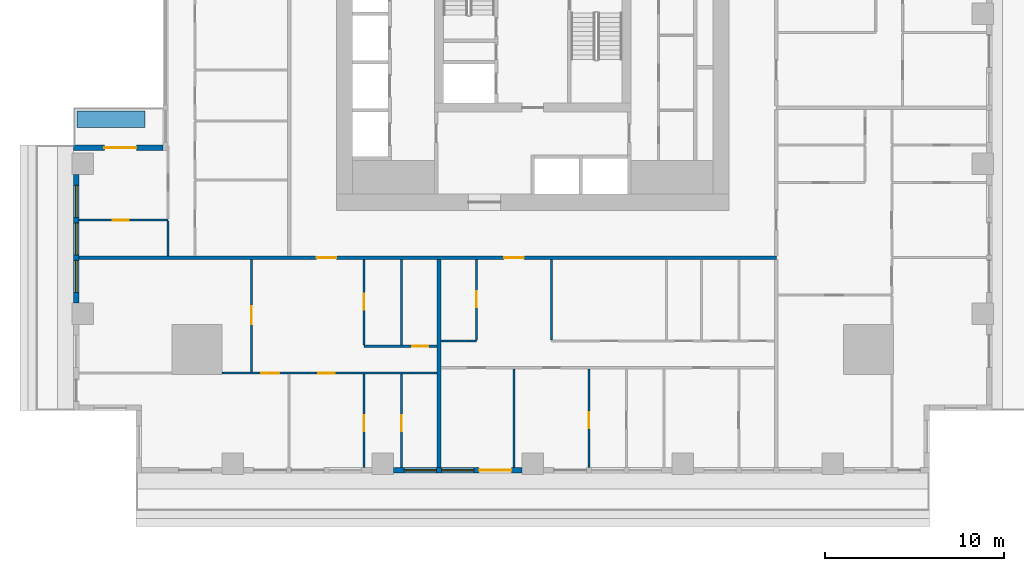
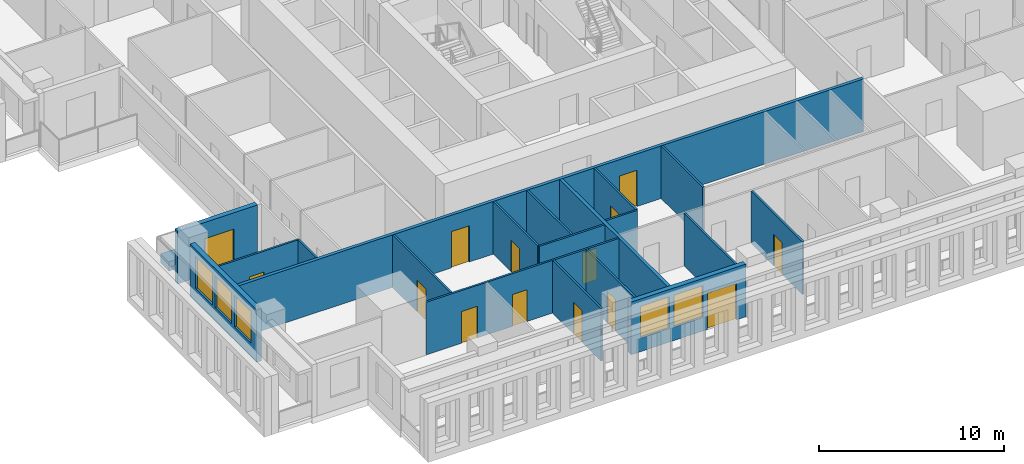
# One storey, part 2 of 15: 20 walls, 14 doors, 5 windows, 19 openings.
"""IFC4 building model written with IfcOpenShell, lengths in metres."""

from ifc_helpers import new_model, si_unit, direction, frame, frame_2d, origin, place, context, subcontext, project, spatial, rectangle, extrude, material, layer, layer_set, type_object, element, fill, save


model = new_model("IFC4")

# Units and contexts
model_context = context("Model", 3, precision=1e-05, world=origin(), true_north=direction((0.0, 1.0)))
body_context = subcontext(model_context, "Body", "Model", "MODEL_VIEW")
ifc_project = project(units=[si_unit("LENGTHUNIT", "METRE"), si_unit("AREAUNIT", "SQUARE_METRE"), si_unit("VOLUMEUNIT", "CUBIC_METRE"), si_unit("PLANEANGLEUNIT", "RADIAN"), si_unit("MASSUNIT", "GRAM", prefix="KILO")], contexts=[model_context])

# Site, building, storey
site_placement = place(None, origin())
site = spatial("IfcSite", under=ifc_project, at=site_placement, CompositionType="ELEMENT")
building_placement = place(site_placement, origin())
building = spatial("IfcBuilding", under=site, at=building_placement, Name="Khepri Terraces", CompositionType="ELEMENT")
storey_placement = place(building_placement, frame((0.0, 0.0, 94.800048828125)))
storey = spatial("IfcBuildingStorey", under=building, at=storey_placement, Name="L22", CompositionType="ELEMENT", Elevation=94.800048828125)

# Wall
ifc_material_1 = material(Name="Fire-rated gypsum plasterboard partition, mineral wool")
ifc_layer_1 = layer(ifc_material_1, 0.199951171875, Name="Fire-rated gypsum plasterboard partition, mineral wool")
ifc_layer_set_1 = layer_set([ifc_layer_1], Name="Fire-rated gypsum plasterboard partition, mineral wool")
wall_type_1 = type_object("IfcWallType", Name="WL-CORR-200", PredefinedType="PARTITIONING", material=ifc_layer_set_1)
wall_1_placement = place(storey_placement, frame((-5.25, -25.419921875, 0.0), z_axis=(0.0, 0.0, 1.0), x_axis=(0.0, 1.0, 0.0)))
element("IfcWall", 1, at=wall_1_placement, inside=storey, type_object=wall_type_1, Name="Partition P-004 L22", PredefinedType="PARTITIONING", context=body_context, shape_type="SweptSolid", body=[
    extrude(rectangle(XDim=11.669921875, YDim=0.199951171875, at=frame_2d((5.8349609375, 0.0))), origin(), (0.0, 0.0, 1.0), 3.47998046875),
])

# Wall, openings, doors
wall_2_placement = place(storey_placement, frame((-25.419921875, -13.64990234375, 0.0), z_axis=(0.0, 0.0, 1.0), x_axis=(1.0, 0.0, 0.0)))
wall_2 = element("IfcWall", 2, at=wall_2_placement, inside=storey, type_object=wall_type_1, Name="Partition P-029 L22", PredefinedType="PARTITIONING", context=body_context, shape_type="SweptSolid", body=[
    extrude(rectangle(XDim=39.06982421875, YDim=0.199951171875, at=frame_2d((19.534912109375, 0.0))), origin(), (0.0, 0.0, 1.0), 3.47998046875),
])
opening_1_placement = place(wall_2_placement, frame((13.320068359375, 0.0, 0.0)))
opening_1 = element("IfcOpeningElement", 3, at=opening_1_placement, cuts=wall_2, Name="Opening D1", PredefinedType="OPENING", context=body_context, shape_type="SweptSolid", body=[
    extrude(rectangle(XDim=1.10009765625, YDim=2.39990234375, at=frame_2d((0.550048828125, 1.199951171875))), frame((0.0, 0.10986328125, 0.0), z_axis=(0.0, -1.0, 0.0), x_axis=(1.0, 0.0, 0.0)), (0.0, 0.0, 1.0), 0.219970703125),
])
opening_2_placement = place(wall_2_placement, frame((23.820068359375, 0.0, 0.0)))
opening_2 = element("IfcOpeningElement", 4, at=opening_2_placement, cuts=wall_2, Name="Opening D1", PredefinedType="OPENING", context=body_context, shape_type="SweptSolid", body=[
    extrude(rectangle(XDim=1.10009765625, YDim=2.39990234375, at=frame_2d((0.550048828125, 1.199951171875))), frame((0.0, 0.10986328125, 0.0), z_axis=(0.0, -1.0, 0.0), x_axis=(1.0, 0.0, 0.0)), (0.0, 0.0, 1.0), 0.219970703125),
])
ifc_material_2 = material(Name="Solid-core timber door leaf, flat entrance door", Category="wood")
door_type_1 = type_object("IfcDoorType", Name="DR-ENT-1100", OperationType="NOTDEFINED", PredefinedType="DOOR", material=ifc_material_2)
door_1_placement = place(opening_1_placement, frame((1.10009765625, 0.0, 0.0), z_axis=(0.0, 0.0, 1.0), x_axis=(-1.0, 0.0, 0.0)))
door_1 = element("IfcDoor", 5, at=door_1_placement, inside=storey, type_object=door_type_1, Name="Flat A1 entrance door", OperationType="SINGLE_SWING_RIGHT", OverallHeight=2.39990234375, OverallWidth=1.10009765625, PredefinedType="DOOR", context=body_context, shape_type="SweptSolid", body=[
    extrude(rectangle(XDim=1.10009765625, YDim=2.39990234375, at=frame_2d((0.550048828125, 1.199951171875))), frame((0.0, 0.02490234375, 0.0), z_axis=(0.0, -1.0, 0.0), x_axis=(1.0, 0.0, 0.0)), (0.0, 0.0, 1.0), 0.050048828125),
])
fill(opening_1, door_1)
door_2_placement = place(opening_2_placement, frame((1.10009765625, 0.0, 0.0), z_axis=(0.0, 0.0, 1.0), x_axis=(-1.0, 0.0, 0.0)))
door_2 = element("IfcDoor", 6, at=door_2_placement, inside=storey, type_object=door_type_1, Name="Flat A2 entrance door", OperationType="SINGLE_SWING_LEFT", OverallHeight=2.39990234375, OverallWidth=1.10009765625, PredefinedType="DOOR", context=body_context, shape_type="SweptSolid", body=[
    extrude(rectangle(XDim=1.10009765625, YDim=2.39990234375, at=frame_2d((0.550048828125, 1.199951171875))), frame((0.0, 0.02490234375, 0.0), z_axis=(0.0, -1.0, 0.0), x_axis=(1.0, 0.0, 0.0)), (0.0, 0.0, 1.0), 0.050048828125),
])
fill(opening_2, door_2)

# Wall, opening, door
ifc_material_3 = material(Name="Precast concrete C50/60 warm stone", Category="masonry")
ifc_layer_2 = layer(ifc_material_3, 0.300048828125, Name="Precast concrete C50/60 warm stone", Category="masonry")
ifc_layer_set_2 = layer_set([ifc_layer_2], Name="Precast concrete C50/60 warm stone")
wall_type_2 = type_object("IfcWallType", Name="WL-EXT-PRECAST-300", PredefinedType="STANDARD", material=ifc_layer_set_2)
wall_3_placement = place(storey_placement, frame((-20.719970703125, -7.5, 0.0), z_axis=(0.0, 0.0, 1.0), x_axis=(-1.0, 0.0, 0.0)))
wall_3 = element("IfcWall", 7, at=wall_3_placement, inside=storey, type_object=wall_type_2, Name="External wall L22 N", PredefinedType="STANDARD", context=body_context, shape_type="SweptSolid", body=[
    extrude(rectangle(XDim=5.0, YDim=0.300048828125, at=frame_2d((2.5, 0.0))), origin(), (0.0, 0.0, 1.0), 3.47998046875),
])
opening_3_placement = place(wall_3_placement, frame((1.47998046875, 0.0, 0.0)))
opening_3 = element("IfcOpeningElement", 8, at=opening_3_placement, cuts=wall_3, Name="Opening ED-L22-17", PredefinedType="OPENING", context=body_context, shape_type="SweptSolid", body=[
    extrude(rectangle(XDim=1.800048828125, YDim=2.39990234375, at=frame_2d((0.89990234375, 1.199951171875))), frame((0.0, 0.16015625, 0.0), z_axis=(0.0, -1.0, 0.0), x_axis=(1.0, 0.0, 0.0)), (0.0, 0.0, 1.0), 0.320068359375),
])
ifc_material_4 = material(Name="Anodised aluminium bronze glazed door", Category="aluminium")
door_type_2 = type_object("IfcDoorType", Name="DR-BAL-SLIDE-1800x2400", OperationType="NOTDEFINED", PredefinedType="DOOR", material=ifc_material_4)
door_3_placement = place(opening_3_placement, origin())
door_3 = element("IfcDoor", 9, at=door_3_placement, inside=storey, type_object=door_type_2, Name="Balcony door L22 N", OperationType="SLIDING_TO_RIGHT", OverallHeight=2.39990234375, OverallWidth=1.800048828125, PredefinedType="DOOR", context=body_context, shape_type="SweptSolid", body=[
    extrude(rectangle(XDim=1.800048828125, YDim=2.39990234375, at=frame_2d((0.89990234375, 1.199951171875))), frame((0.0, 0.02490234375, 0.0), z_axis=(0.0, -1.0, 0.0), x_axis=(1.0, 0.0, 0.0)), (0.0, 0.0, 1.0), 0.050048828125),
])
fill(opening_3, door_3)

# Wall, openings, windows
wall_4_placement = place(storey_placement, frame((-25.570068359375, -9.0, 0.0), z_axis=(0.0, 0.0, 1.0), x_axis=(0.0, -1.0, 0.0)))
wall_4 = element("IfcWall", 10, at=wall_4_placement, inside=storey, type_object=wall_type_2, Name="External wall L22 W", PredefinedType="STANDARD", context=body_context, shape_type="SweptSolid", body=[
    extrude(rectangle(XDim=7.199951171875, YDim=0.300048828125, at=frame_2d((3.60009765625, 0.0))), origin(), (0.0, 0.0, 1.0), 3.47998046875),
])
opening_4_placement = place(wall_4_placement, frame((0.60009765625, 0.0, 0.89990234375)))
opening_4 = element("IfcOpeningElement", 11, at=opening_4_placement, cuts=wall_4, Name="Opening W1", PredefinedType="OPENING", context=body_context, shape_type="SweptSolid", body=[
    extrude(rectangle(XDim=1.800048828125, YDim=2.10009765625, at=frame_2d((0.89990234375, 1.050048828125))), frame((0.0, 0.16015625, 0.0), z_axis=(0.0, -1.0, 0.0), x_axis=(1.0, 0.0, 0.0)), (0.0, 0.0, 1.0), 0.320068359375),
])
opening_5_placement = place(wall_4_placement, frame((2.699951171875, 0.0, 0.89990234375)))
opening_5 = element("IfcOpeningElement", 12, at=opening_5_placement, cuts=wall_4, Name="Opening W1", PredefinedType="OPENING", context=body_context, shape_type="SweptSolid", body=[
    extrude(rectangle(XDim=1.800048828125, YDim=2.10009765625, at=frame_2d((0.89990234375, 1.050048828125))), frame((0.0, 0.16015625, 0.0), z_axis=(0.0, -1.0, 0.0), x_axis=(1.0, 0.0, 0.0)), (0.0, 0.0, 1.0), 0.320068359375),
])
opening_6_placement = place(wall_4_placement, frame((4.800048828125, 0.0, 0.89990234375)))
opening_6 = element("IfcOpeningElement", 13, at=opening_6_placement, cuts=wall_4, Name="Opening W1", PredefinedType="OPENING", context=body_context, shape_type="SweptSolid", body=[
    extrude(rectangle(XDim=1.800048828125, YDim=2.10009765625, at=frame_2d((0.89990234375, 1.050048828125))), frame((0.0, 0.16015625, 0.0), z_axis=(0.0, -1.0, 0.0), x_axis=(1.0, 0.0, 0.0)), (0.0, 0.0, 1.0), 0.320068359375),
])
ifc_material_5 = material(Name="Clear glass", Category="glass")
window_type = type_object("IfcWindowType", Name="WIN-RES-1800x2100", PartitioningType="SINGLE_PANEL", PredefinedType="WINDOW", material=ifc_material_5)
window_1_placement = place(opening_4_placement, origin())
window_1 = element("IfcWindow", 14, at=window_1_placement, inside=storey, type_object=window_type, Name="Window L22 W", OverallHeight=2.10009765625, OverallWidth=1.800048828125, PartitioningType="SINGLE_PANEL", PredefinedType="WINDOW", context=body_context, shape_type="SweptSolid", body=[
    extrude(rectangle(XDim=1.800048828125, YDim=2.10009765625, at=frame_2d((0.89990234375, 1.050048828125))), frame((0.0, 0.030029296875, 0.0), z_axis=(0.0, -1.0, 0.0), x_axis=(1.0, 0.0, 0.0)), (0.0, 0.0, 1.0), 0.06005859375),
])
fill(opening_4, window_1)
window_2_placement = place(opening_5_placement, origin())
window_2 = element("IfcWindow", 15, at=window_2_placement, inside=storey, type_object=window_type, Name="Window L22 W", OverallHeight=2.10009765625, OverallWidth=1.800048828125, PartitioningType="SINGLE_PANEL", PredefinedType="WINDOW", context=body_context, shape_type="SweptSolid", body=[
    extrude(rectangle(XDim=1.800048828125, YDim=2.10009765625, at=frame_2d((0.89990234375, 1.050048828125))), frame((0.0, 0.030029296875, 0.0), z_axis=(0.0, -1.0, 0.0), x_axis=(1.0, 0.0, 0.0)), (0.0, 0.0, 1.0), 0.06005859375),
])
fill(opening_5, window_2)
window_3_placement = place(opening_6_placement, origin())
window_3 = element("IfcWindow", 16, at=window_3_placement, inside=storey, type_object=window_type, Name="Window L22 W", OverallHeight=2.10009765625, OverallWidth=1.800048828125, PartitioningType="SINGLE_PANEL", PredefinedType="WINDOW", context=body_context, shape_type="SweptSolid", body=[
    extrude(rectangle(XDim=1.800048828125, YDim=2.10009765625, at=frame_2d((0.89990234375, 1.050048828125))), frame((0.0, 0.030029296875, 0.0), z_axis=(0.0, -1.0, 0.0), x_axis=(1.0, 0.0, 0.0)), (0.0, 0.0, 1.0), 0.06005859375),
])
fill(opening_6, window_3)

# Wall, openings, door, windows
wall_5_placement = place(storey_placement, frame((-7.800048828125, -25.570068359375, 0.0), z_axis=(0.0, 0.0, 1.0), x_axis=(1.0, 0.0, 0.0)))
wall_5 = element("IfcWall", 17, at=wall_5_placement, inside=storey, type_object=wall_type_2, Name="External wall L22 S", PredefinedType="STANDARD", context=body_context, shape_type="SweptSolid", body=[
    extrude(rectangle(XDim=7.199951171875, YDim=0.300048828125, at=frame_2d((3.60009765625, 0.0))), origin(), (0.0, 0.0, 1.0), 3.47998046875),
])
opening_7_placement = place(wall_5_placement, frame((0.60009765625, 0.0, 0.89990234375)))
opening_7 = element("IfcOpeningElement", 18, at=opening_7_placement, cuts=wall_5, Name="Opening W1", PredefinedType="OPENING", context=body_context, shape_type="SweptSolid", body=[
    extrude(rectangle(XDim=1.800048828125, YDim=2.10009765625, at=frame_2d((0.89990234375, 1.050048828125))), frame((0.0, 0.16015625, 0.0), z_axis=(0.0, -1.0, 0.0), x_axis=(1.0, 0.0, 0.0)), (0.0, 0.0, 1.0), 0.320068359375),
])
opening_8_placement = place(wall_5_placement, frame((2.699951171875, 0.0, 0.89990234375)))
opening_8 = element("IfcOpeningElement", 19, at=opening_8_placement, cuts=wall_5, Name="Opening W1", PredefinedType="OPENING", context=body_context, shape_type="SweptSolid", body=[
    extrude(rectangle(XDim=1.800048828125, YDim=2.10009765625, at=frame_2d((0.89990234375, 1.050048828125))), frame((0.0, 0.16015625, 0.0), z_axis=(0.0, -1.0, 0.0), x_axis=(1.0, 0.0, 0.0)), (0.0, 0.0, 1.0), 0.320068359375),
])
opening_9_placement = place(wall_5_placement, frame((4.800048828125, 0.0, 0.0)))
opening_9 = element("IfcOpeningElement", 20, at=opening_9_placement, cuts=wall_5, Name="Opening ED-L22-22", PredefinedType="OPENING", context=body_context, shape_type="SweptSolid", body=[
    extrude(rectangle(XDim=1.800048828125, YDim=2.39990234375, at=frame_2d((0.89990234375, 1.199951171875))), frame((0.0, 0.16015625, 0.0), z_axis=(0.0, -1.0, 0.0), x_axis=(1.0, 0.0, 0.0)), (0.0, 0.0, 1.0), 0.320068359375),
])
door_4_placement = place(opening_9_placement, origin())
door_4 = element("IfcDoor", 21, at=door_4_placement, inside=storey, type_object=door_type_2, Name="Balcony door L22 S", OperationType="SLIDING_TO_RIGHT", OverallHeight=2.39990234375, OverallWidth=1.800048828125, PredefinedType="DOOR", context=body_context, shape_type="SweptSolid", body=[
    extrude(rectangle(XDim=1.800048828125, YDim=2.39990234375, at=frame_2d((0.89990234375, 1.199951171875))), frame((0.0, 0.02490234375, 0.0), z_axis=(0.0, -1.0, 0.0), x_axis=(1.0, 0.0, 0.0)), (0.0, 0.0, 1.0), 0.050048828125),
])
fill(opening_9, door_4)
window_4_placement = place(opening_7_placement, origin())
window_4 = element("IfcWindow", 22, at=window_4_placement, inside=storey, type_object=window_type, Name="Window L22 S", OverallHeight=2.10009765625, OverallWidth=1.800048828125, PartitioningType="SINGLE_PANEL", PredefinedType="WINDOW", context=body_context, shape_type="SweptSolid", body=[
    extrude(rectangle(XDim=1.800048828125, YDim=2.10009765625, at=frame_2d((0.89990234375, 1.050048828125))), frame((0.0, 0.030029296875, 0.0), z_axis=(0.0, -1.0, 0.0), x_axis=(1.0, 0.0, 0.0)), (0.0, 0.0, 1.0), 0.06005859375),
])
fill(opening_7, window_4)
window_5_placement = place(opening_8_placement, origin())
window_5 = element("IfcWindow", 23, at=window_5_placement, inside=storey, type_object=window_type, Name="Window L22 S", OverallHeight=2.10009765625, OverallWidth=1.800048828125, PartitioningType="SINGLE_PANEL", PredefinedType="WINDOW", context=body_context, shape_type="SweptSolid", body=[
    extrude(rectangle(XDim=1.800048828125, YDim=2.10009765625, at=frame_2d((0.89990234375, 1.050048828125))), frame((0.0, 0.030029296875, 0.0), z_axis=(0.0, -1.0, 0.0), x_axis=(1.0, 0.0, 0.0)), (0.0, 0.0, 1.0), 0.06005859375),
])
fill(opening_8, window_5)

# Wall, opening, door
ifc_material_6 = material(Name="Gypsum plasterboard partition")
ifc_layer_3 = layer(ifc_material_6, 0.1201171875, Name="Gypsum plasterboard partition")
ifc_layer_set_3 = layer_set([ifc_layer_3], Name="Gypsum plasterboard partition")
wall_type_3 = type_object("IfcWallType", Name="WL-PART-120", PredefinedType="PARTITIONING", material=ifc_layer_set_3)
wall_6_placement = place(storey_placement, frame((-9.449951171875, -25.419921875, 0.0), z_axis=(0.0, 0.0, 1.0), x_axis=(0.0, 1.0, 0.0)))
wall_6 = element("IfcWall", 24, at=wall_6_placement, inside=storey, type_object=wall_type_3, Name="Partition P-002 L22", PredefinedType="PARTITIONING", context=body_context, shape_type="SweptSolid", body=[
    extrude(rectangle(XDim=5.239990234375, YDim=0.1201171875, at=frame_2d((2.6201171875, 0.0))), origin(), (0.0, 0.0, 1.0), 3.47998046875),
])
opening_10_placement = place(wall_6_placement, frame((2.050048828125, 0.0, 0.0)))
opening_10 = element("IfcOpeningElement", 25, at=opening_10_placement, cuts=wall_6, Name="Opening D3", PredefinedType="OPENING", context=body_context, shape_type="SweptSolid", body=[
    extrude(rectangle(XDim=0.89990234375, YDim=2.10009765625, at=frame_2d((0.449951171875, 1.050048828125))), frame((0.0, 0.070068359375, 0.0), z_axis=(0.0, -1.0, 0.0), x_axis=(1.0, 0.0, 0.0)), (0.0, 0.0, 1.0), 0.14013671875),
])
ifc_material_7 = material(Name="Timber door leaf", Category="wood")
door_type_3 = type_object("IfcDoorType", Name="DR-INT-900", OperationType="NOTDEFINED", PredefinedType="DOOR", material=ifc_material_7)
door_5_placement = place(opening_10_placement, frame((0.89990234375, 0.0, 0.0), z_axis=(0.0, 0.0, 1.0), x_axis=(-1.0, 0.0, 0.0)))
door_5 = element("IfcDoor", 26, at=door_5_placement, inside=storey, type_object=door_type_3, Name="Door Dressing Room", OperationType="SINGLE_SWING_RIGHT", OverallHeight=2.10009765625, OverallWidth=0.89990234375, PredefinedType="DOOR", context=body_context, shape_type="SweptSolid", body=[
    extrude(rectangle(XDim=0.89990234375, YDim=2.10009765625, at=frame_2d((0.449951171875, 1.050048828125))), frame((0.0, 0.02490234375, 0.0), z_axis=(0.0, -1.0, 0.0), x_axis=(1.0, 0.0, 0.0)), (0.0, 0.0, 1.0), 0.050048828125),
])
fill(opening_10, door_5)

wall_7_placement = place(storey_placement, frame((-7.35009765625, -25.419921875, 0.0), z_axis=(0.0, 0.0, 1.0), x_axis=(0.0, 1.0, 0.0)))
wall_7 = element("IfcWall", 27, at=wall_7_placement, inside=storey, type_object=wall_type_3, Name="Partition P-003 L22", PredefinedType="PARTITIONING", context=body_context, shape_type="SweptSolid", body=[
    extrude(rectangle(XDim=5.239990234375, YDim=0.1201171875, at=frame_2d((2.6201171875, 0.0))), origin(), (0.0, 0.0, 1.0), 3.47998046875),
])
opening_11_placement = place(wall_7_placement, frame((2.050048828125, 0.0, 0.0)))
opening_11 = element("IfcOpeningElement", 28, at=opening_11_placement, cuts=wall_7, Name="Opening D4", PredefinedType="OPENING", context=body_context, shape_type="SweptSolid", body=[
    extrude(rectangle(XDim=0.89990234375, YDim=2.10009765625, at=frame_2d((0.449951171875, 1.050048828125))), frame((0.0, 0.070068359375, 0.0), z_axis=(0.0, -1.0, 0.0), x_axis=(1.0, 0.0, 0.0)), (0.0, 0.0, 1.0), 0.14013671875),
])
ifc_material_8 = material(Name="Timber door leaf, moisture resistant", Category="wood")
door_type_4 = type_object("IfcDoorType", Name="DR-WET-900", OperationType="NOTDEFINED", PredefinedType="DOOR", material=ifc_material_8)
door_6_placement = place(opening_11_placement, frame((0.89990234375, 0.0, 0.0), z_axis=(0.0, 0.0, 1.0), x_axis=(-1.0, 0.0, 0.0)))
door_6 = element("IfcDoor", 29, at=door_6_placement, inside=storey, type_object=door_type_4, Name="Door Bathroom", OperationType="SINGLE_SWING_RIGHT", OverallHeight=2.10009765625, OverallWidth=0.89990234375, PredefinedType="DOOR", context=body_context, shape_type="SweptSolid", body=[
    extrude(rectangle(XDim=0.89990234375, YDim=2.10009765625, at=frame_2d((0.449951171875, 1.050048828125))), frame((0.0, 0.02490234375, 0.0), z_axis=(0.0, -1.0, 0.0), x_axis=(1.0, 0.0, 0.0)), (0.0, 0.0, 1.0), 0.050048828125),
])
fill(opening_11, door_6)

# Wall
wall_8_placement = place(storey_placement, frame((-1.050048828125, -25.419921875, 0.0), z_axis=(0.0, 0.0, 1.0), x_axis=(0.0, 1.0, 0.0)))
element("IfcWall", 30, at=wall_8_placement, inside=storey, type_object=wall_type_3, Name="Partition P-005 L22", PredefinedType="PARTITIONING", context=body_context, shape_type="SweptSolid", body=[
    extrude(rectangle(XDim=5.5400390625, YDim=0.1201171875, at=frame_2d((2.77001953125, 0.0))), origin(), (0.0, 0.0, 1.0), 3.47998046875),
])

# Wall, opening, door
wall_9_placement = place(storey_placement, frame((3.14990234375, -25.419921875, 0.0), z_axis=(0.0, 0.0, 1.0), x_axis=(0.0, 1.0, 0.0)))
wall_9 = element("IfcWall", 31, at=wall_9_placement, inside=storey, type_object=wall_type_3, Name="Partition P-006 L22", PredefinedType="PARTITIONING", context=body_context, shape_type="SweptSolid", body=[
    extrude(rectangle(XDim=5.5400390625, YDim=0.1201171875, at=frame_2d((2.77001953125, 0.0))), origin(), (0.0, 0.0, 1.0), 3.47998046875),
])
opening_12_placement = place(wall_9_placement, frame((2.199951171875, 0.0, 0.0)))
opening_12 = element("IfcOpeningElement", 32, at=opening_12_placement, cuts=wall_9, Name="Opening D3", PredefinedType="OPENING", context=body_context, shape_type="SweptSolid", body=[
    extrude(rectangle(XDim=0.89990234375, YDim=2.10009765625, at=frame_2d((0.449951171875, 1.050048828125))), frame((0.0, 0.070068359375, 0.0), z_axis=(0.0, -1.0, 0.0), x_axis=(1.0, 0.0, 0.0)), (0.0, 0.0, 1.0), 0.14013671875),
])
door_7_placement = place(opening_12_placement, frame((0.89990234375, 0.0, 0.0), z_axis=(0.0, 0.0, 1.0), x_axis=(-1.0, 0.0, 0.0)))
door_7 = element("IfcDoor", 33, at=door_7_placement, inside=storey, type_object=door_type_3, Name="Door Dressing Room", OperationType="SINGLE_SWING_RIGHT", OverallHeight=2.10009765625, OverallWidth=0.89990234375, PredefinedType="DOOR", context=body_context, shape_type="SweptSolid", body=[
    extrude(rectangle(XDim=0.89990234375, YDim=2.10009765625, at=frame_2d((0.449951171875, 1.050048828125))), frame((0.0, 0.02490234375, 0.0), z_axis=(0.0, -1.0, 0.0), x_axis=(1.0, 0.0, 0.0)), (0.0, 0.0, 1.0), 0.050048828125),
])
fill(opening_12, door_7)

# Wall, openings, doors
wall_10_placement = place(storey_placement, frame((-17.39990234375, -20.1201171875, 0.0), z_axis=(0.0, 0.0, 1.0), x_axis=(1.0, 0.0, 0.0)))
wall_10 = element("IfcWall", 34, at=wall_10_placement, inside=storey, type_object=wall_type_3, Name="Partition P-013 L22", PredefinedType="PARTITIONING", context=body_context, shape_type="SweptSolid", body=[
    extrude(rectangle(XDim=12.0498046875, YDim=0.1201171875, at=frame_2d((6.02490234375, 0.0))), origin(), (0.0, 0.0, 1.0), 3.47998046875),
])
opening_13_placement = place(wall_10_placement, frame((2.199951171875, 0.0, 0.0)))
opening_13 = element("IfcOpeningElement", 35, at=opening_13_placement, cuts=wall_10, Name="Opening D2", PredefinedType="OPENING", context=body_context, shape_type="SweptSolid", body=[
    extrude(rectangle(XDim=1.0, YDim=2.10009765625, at=frame_2d((0.5, 1.050048828125))), frame((0.0, 0.070068359375, 0.0), z_axis=(0.0, -1.0, 0.0), x_axis=(1.0, 0.0, 0.0)), (0.0, 0.0, 1.0), 0.14013671875),
])
opening_14_placement = place(wall_10_placement, frame((5.39990234375, 0.0, 0.0)))
opening_14 = element("IfcOpeningElement", 36, at=opening_14_placement, cuts=wall_10, Name="Opening D3", PredefinedType="OPENING", context=body_context, shape_type="SweptSolid", body=[
    extrude(rectangle(XDim=0.89990234375, YDim=2.10009765625, at=frame_2d((0.449951171875, 1.050048828125))), frame((0.0, 0.070068359375, 0.0), z_axis=(0.0, -1.0, 0.0), x_axis=(1.0, 0.0, 0.0)), (0.0, 0.0, 1.0), 0.14013671875),
])
ifc_material_9 = material(Name="Timber door leaf, living room door", Category="wood")
door_type_5 = type_object("IfcDoorType", Name="DR-INT-1000", OperationType="NOTDEFINED", PredefinedType="DOOR", material=ifc_material_9)
door_8_placement = place(opening_13_placement, frame((1.0, 0.0, 0.0), z_axis=(0.0, 0.0, 1.0), x_axis=(-1.0, 0.0, 0.0)))
door_8 = element("IfcDoor", 37, at=door_8_placement, inside=storey, type_object=door_type_5, Name="Door Living Room", OperationType="SINGLE_SWING_RIGHT", OverallHeight=2.10009765625, OverallWidth=1.0, PredefinedType="DOOR", context=body_context, shape_type="SweptSolid", body=[
    extrude(rectangle(XDim=1.0, YDim=2.10009765625, at=frame_2d((0.5, 1.050048828125))), frame((0.0, 0.02490234375, 0.0), z_axis=(0.0, -1.0, 0.0), x_axis=(1.0, 0.0, 0.0)), (0.0, 0.0, 1.0), 0.050048828125),
])
fill(opening_13, door_8)
door_9_placement = place(opening_14_placement, frame((0.89990234375, 0.0, 0.0), z_axis=(0.0, 0.0, 1.0), x_axis=(-1.0, 0.0, 0.0)))
door_9 = element("IfcDoor", 38, at=door_9_placement, inside=storey, type_object=door_type_3, Name="Door Master Bedroom", OperationType="SINGLE_SWING_RIGHT", OverallHeight=2.10009765625, OverallWidth=0.89990234375, PredefinedType="DOOR", context=body_context, shape_type="SweptSolid", body=[
    extrude(rectangle(XDim=0.89990234375, YDim=2.10009765625, at=frame_2d((0.449951171875, 1.050048828125))), frame((0.0, 0.02490234375, 0.0), z_axis=(0.0, -1.0, 0.0), x_axis=(1.0, 0.0, 0.0)), (0.0, 0.0, 1.0), 0.050048828125),
])
fill(opening_14, door_9)

# Wall, opening, door
wall_11_placement = place(storey_placement, frame((-15.75, -20.06005859375, 0.0), z_axis=(0.0, 0.0, 1.0), x_axis=(0.0, 1.0, 0.0)))
wall_11 = element("IfcWall", 39, at=wall_11_placement, inside=storey, type_object=wall_type_3, Name="Partition P-014 L22", PredefinedType="PARTITIONING", context=body_context, shape_type="SweptSolid", body=[
    extrude(rectangle(XDim=6.31005859375, YDim=0.1201171875, at=frame_2d((3.155029296875, 0.0))), origin(), (0.0, 0.0, 1.0), 3.47998046875),
])
opening_15_placement = place(wall_11_placement, frame((2.675048828125, 0.0, 0.0)))
opening_15 = element("IfcOpeningElement", 40, at=opening_15_placement, cuts=wall_11, Name="Opening D2", PredefinedType="OPENING", context=body_context, shape_type="SweptSolid", body=[
    extrude(rectangle(XDim=1.0, YDim=2.10009765625, at=frame_2d((0.5, 1.050048828125))), frame((0.0, 0.070068359375, 0.0), z_axis=(0.0, -1.0, 0.0), x_axis=(1.0, 0.0, 0.0)), (0.0, 0.0, 1.0), 0.14013671875),
])
door_10_placement = place(opening_15_placement, origin())
door_10 = element("IfcDoor", 41, at=door_10_placement, inside=storey, type_object=door_type_5, Name="Door Family Room", OperationType="SINGLE_SWING_RIGHT", OverallHeight=2.10009765625, OverallWidth=1.0, PredefinedType="DOOR", context=body_context, shape_type="SweptSolid", body=[
    extrude(rectangle(XDim=1.0, YDim=2.10009765625, at=frame_2d((0.5, 1.050048828125))), frame((0.0, 0.02490234375, 0.0), z_axis=(0.0, -1.0, 0.0), x_axis=(1.0, 0.0, 0.0)), (0.0, 0.0, 1.0), 0.050048828125),
])
fill(opening_15, door_10)

wall_12_placement = place(storey_placement, frame((-9.449951171875, -18.6201171875, 0.0), z_axis=(0.0, 0.0, 1.0), x_axis=(1.0, 0.0, 0.0)))
wall_12 = element("IfcWall", 42, at=wall_12_placement, inside=storey, type_object=wall_type_3, Name="Partition P-016 L22", PredefinedType="PARTITIONING", context=body_context, shape_type="SweptSolid", body=[
    extrude(rectangle(XDim=4.099853515625, YDim=0.1201171875, at=frame_2d((2.0498046875, 0.0))), origin(), (0.0, 0.0, 1.0), 3.47998046875),
])
opening_16_placement = place(wall_12_placement, frame((2.699951171875, 0.0, 0.0)))
opening_16 = element("IfcOpeningElement", 43, at=opening_16_placement, cuts=wall_12, Name="Opening D3", PredefinedType="OPENING", context=body_context, shape_type="SweptSolid", body=[
    extrude(rectangle(XDim=0.89990234375, YDim=2.10009765625, at=frame_2d((0.449951171875, 1.050048828125))), frame((0.0, 0.070068359375, 0.0), z_axis=(0.0, -1.0, 0.0), x_axis=(1.0, 0.0, 0.0)), (0.0, 0.0, 1.0), 0.14013671875),
])
door_11_placement = place(opening_16_placement, origin())
door_11 = element("IfcDoor", 44, at=door_11_placement, inside=storey, type_object=door_type_3, Name="Door Kitchen", OperationType="SINGLE_SWING_RIGHT", OverallHeight=2.10009765625, OverallWidth=0.89990234375, PredefinedType="DOOR", context=body_context, shape_type="SweptSolid", body=[
    extrude(rectangle(XDim=0.89990234375, YDim=2.10009765625, at=frame_2d((0.449951171875, 1.050048828125))), frame((0.0, 0.02490234375, 0.0), z_axis=(0.0, -1.0, 0.0), x_axis=(1.0, 0.0, 0.0)), (0.0, 0.0, 1.0), 0.050048828125),
])
fill(opening_16, door_11)

wall_13_placement = place(storey_placement, frame((-9.449951171875, -18.56005859375, 0.0), z_axis=(0.0, 0.0, 1.0), x_axis=(0.0, 1.0, 0.0)))
wall_13 = element("IfcWall", 45, at=wall_13_placement, inside=storey, type_object=wall_type_3, Name="Partition P-017 L22", PredefinedType="PARTITIONING", context=body_context, shape_type="SweptSolid", body=[
    extrude(rectangle(XDim=4.81005859375, YDim=0.1201171875, at=frame_2d((2.405029296875, 0.0))), origin(), (0.0, 0.0, 1.0), 3.47998046875),
])
opening_17_placement = place(wall_13_placement, frame((1.97509765625, 0.0, 0.0)))
opening_17 = element("IfcOpeningElement", 46, at=opening_17_placement, cuts=wall_13, Name="Opening D4", PredefinedType="OPENING", context=body_context, shape_type="SweptSolid", body=[
    extrude(rectangle(XDim=0.89990234375, YDim=2.10009765625, at=frame_2d((0.449951171875, 1.050048828125))), frame((0.0, 0.070068359375, 0.0), z_axis=(0.0, -1.0, 0.0), x_axis=(1.0, 0.0, 0.0)), (0.0, 0.0, 1.0), 0.14013671875),
])
door_12_placement = place(opening_17_placement, frame((0.89990234375, 0.0, 0.0), z_axis=(0.0, 0.0, 1.0), x_axis=(-1.0, 0.0, 0.0)))
door_12 = element("IfcDoor", 47, at=door_12_placement, inside=storey, type_object=door_type_4, Name="Door Guest Bathroom", OperationType="SINGLE_SWING_LEFT", OverallHeight=2.10009765625, OverallWidth=0.89990234375, PredefinedType="DOOR", context=body_context, shape_type="SweptSolid", body=[
    extrude(rectangle(XDim=0.89990234375, YDim=2.10009765625, at=frame_2d((0.449951171875, 1.050048828125))), frame((0.0, 0.02490234375, 0.0), z_axis=(0.0, -1.0, 0.0), x_axis=(1.0, 0.0, 0.0)), (0.0, 0.0, 1.0), 0.050048828125),
])
fill(opening_17, door_12)

# Walls
wall_14_placement = place(storey_placement, frame((-7.35009765625, -18.56005859375, 0.0), z_axis=(0.0, 0.0, 1.0), x_axis=(0.0, 1.0, 0.0)))
element("IfcWall", 48, at=wall_14_placement, inside=storey, type_object=wall_type_3, Name="Partition P-018 L22", PredefinedType="PARTITIONING", context=body_context, shape_type="SweptSolid", body=[
    extrude(rectangle(XDim=4.81005859375, YDim=0.1201171875, at=frame_2d((2.405029296875, 0.0))), origin(), (0.0, 0.0, 1.0), 3.47998046875),
])
wall_15_placement = place(storey_placement, frame((-5.14990234375, -18.320068359375, 0.0), z_axis=(0.0, 0.0, 1.0), x_axis=(1.0, 0.0, 0.0)))
element("IfcWall", 49, at=wall_15_placement, inside=storey, type_object=wall_type_3, Name="Partition P-019 L22", PredefinedType="PARTITIONING", context=body_context, shape_type="SweptSolid", body=[
    extrude(rectangle(XDim=2.0, YDim=0.1201171875, at=frame_2d((1.0, 0.0))), origin(), (0.0, 0.0, 1.0), 3.47998046875),
])

# Wall, opening, door
wall_16_placement = place(storey_placement, frame((-3.14990234375, -18.260009765625, 0.0), z_axis=(0.0, 0.0, 1.0), x_axis=(0.0, 1.0, 0.0)))
wall_16 = element("IfcWall", 50, at=wall_16_placement, inside=storey, type_object=wall_type_3, Name="Partition P-021 L22", PredefinedType="PARTITIONING", context=body_context, shape_type="SweptSolid", body=[
    extrude(rectangle(XDim=4.510009765625, YDim=0.1201171875, at=frame_2d((2.2548828125, 0.0))), origin(), (0.0, 0.0, 1.0), 3.47998046875),
])
opening_18_placement = place(wall_16_placement, frame((1.824951171875, 0.0, 0.0)))
opening_18 = element("IfcOpeningElement", 51, at=opening_18_placement, cuts=wall_16, Name="Opening D3", PredefinedType="OPENING", context=body_context, shape_type="SweptSolid", body=[
    extrude(rectangle(XDim=0.89990234375, YDim=2.10009765625, at=frame_2d((0.449951171875, 1.050048828125))), frame((0.0, 0.070068359375, 0.0), z_axis=(0.0, -1.0, 0.0), x_axis=(1.0, 0.0, 0.0)), (0.0, 0.0, 1.0), 0.14013671875),
])
door_13_placement = place(opening_18_placement, origin())
door_13 = element("IfcDoor", 52, at=door_13_placement, inside=storey, type_object=door_type_3, Name="Door Utility Room", OperationType="SINGLE_SWING_RIGHT", OverallHeight=2.10009765625, OverallWidth=0.89990234375, PredefinedType="DOOR", context=body_context, shape_type="SweptSolid", body=[
    extrude(rectangle(XDim=0.89990234375, YDim=2.10009765625, at=frame_2d((0.449951171875, 1.050048828125))), frame((0.0, 0.02490234375, 0.0), z_axis=(0.0, -1.0, 0.0), x_axis=(1.0, 0.0, 0.0)), (0.0, 0.0, 1.0), 0.050048828125),
])
fill(opening_18, door_13)

# Walls
wall_17_placement = place(storey_placement, frame((1.050048828125, -18.260009765625, 0.0), z_axis=(0.0, 0.0, 1.0), x_axis=(0.0, 1.0, 0.0)))
element("IfcWall", 53, at=wall_17_placement, inside=storey, type_object=wall_type_3, Name="Partition P-022 L22", PredefinedType="PARTITIONING", context=body_context, shape_type="SweptSolid", body=[
    extrude(rectangle(XDim=4.510009765625, YDim=0.1201171875, at=frame_2d((2.2548828125, 0.0))), origin(), (0.0, 0.0, 1.0), 3.47998046875),
])
wall_18_placement = place(storey_placement, frame((-20.419921875, -13.550048828125, 0.0), z_axis=(0.0, 0.0, 1.0), x_axis=(0.0, 1.0, 0.0)))
element("IfcWall", 54, at=wall_18_placement, inside=storey, type_object=wall_type_3, Name="Partition P-032 L22", PredefinedType="PARTITIONING", context=body_context, shape_type="SweptSolid", body=[
    extrude(rectangle(XDim=1.93994140625, YDim=0.1201171875, at=frame_2d((0.969970703125, 0.0))), origin(), (0.0, 0.0, 1.0), 3.47998046875),
])

# Wall, opening, door
wall_19_placement = place(storey_placement, frame((-25.419921875, -11.550048828125, 0.0), z_axis=(0.0, 0.0, 1.0), x_axis=(1.0, 0.0, 0.0)))
wall_19 = element("IfcWall", 55, at=wall_19_placement, inside=storey, type_object=wall_type_3, Name="Partition P-036 L22", PredefinedType="PARTITIONING", context=body_context, shape_type="SweptSolid", body=[
    extrude(rectangle(XDim=5.0, YDim=0.1201171875, at=frame_2d((2.5, 0.0))), origin(), (0.0, 0.0, 1.0), 3.47998046875),
])
opening_19_placement = place(wall_19_placement, frame((1.89990234375, 0.0, 0.0)))
opening_19 = element("IfcOpeningElement", 56, at=opening_19_placement, cuts=wall_19, Name="Opening D4", PredefinedType="OPENING", context=body_context, shape_type="SweptSolid", body=[
    extrude(rectangle(XDim=0.89990234375, YDim=2.10009765625, at=frame_2d((0.449951171875, 1.050048828125))), frame((0.0, 0.070068359375, 0.0), z_axis=(0.0, -1.0, 0.0), x_axis=(1.0, 0.0, 0.0)), (0.0, 0.0, 1.0), 0.14013671875),
])
door_14_placement = place(opening_19_placement, frame((0.89990234375, 0.0, 0.0), z_axis=(0.0, 0.0, 1.0), x_axis=(-1.0, 0.0, 0.0)))
door_14 = element("IfcDoor", 57, at=door_14_placement, inside=storey, type_object=door_type_4, Name="Door Bathroom", OperationType="SINGLE_SWING_RIGHT", OverallHeight=2.10009765625, OverallWidth=0.89990234375, PredefinedType="DOOR", context=body_context, shape_type="SweptSolid", body=[
    extrude(rectangle(XDim=0.89990234375, YDim=2.10009765625, at=frame_2d((0.449951171875, 1.050048828125))), frame((0.0, 0.02490234375, 0.0), z_axis=(0.0, -1.0, 0.0), x_axis=(1.0, 0.0, 0.0)), (0.0, 0.0, 1.0), 0.050048828125),
])
fill(opening_19, door_14)

# Wall
ifc_layer_4 = layer(ifc_material_3, 0.89990234375, Name="Precast concrete C50/60 warm stone", Category="masonry")
ifc_layer_set_4 = layer_set([ifc_layer_4], Name="Precast concrete C50/60 warm stone")
wall_type_4 = type_object("IfcWallType", Name="WL-PLANTER-900", PredefinedType="MOVABLE", material=ifc_layer_set_4)
wall_20_placement = place(storey_placement, frame((-25.52001953125, -5.89990234375, 0.0), z_axis=(0.0, 0.0, 1.0), x_axis=(1.0, 0.0, 0.0)))
element("IfcWall", 58, at=wall_20_placement, inside=storey, type_object=wall_type_4, Name="Planter L22", PredefinedType="MOVABLE", context=body_context, shape_type="SweptSolid", body=[
    extrude(rectangle(XDim=3.800048828125, YDim=0.89990234375, at=frame_2d((1.89990234375, 0.0))), origin(), (0.0, 0.0, 1.0), 0.599853515625),
])

save(model, "model.ifc")
